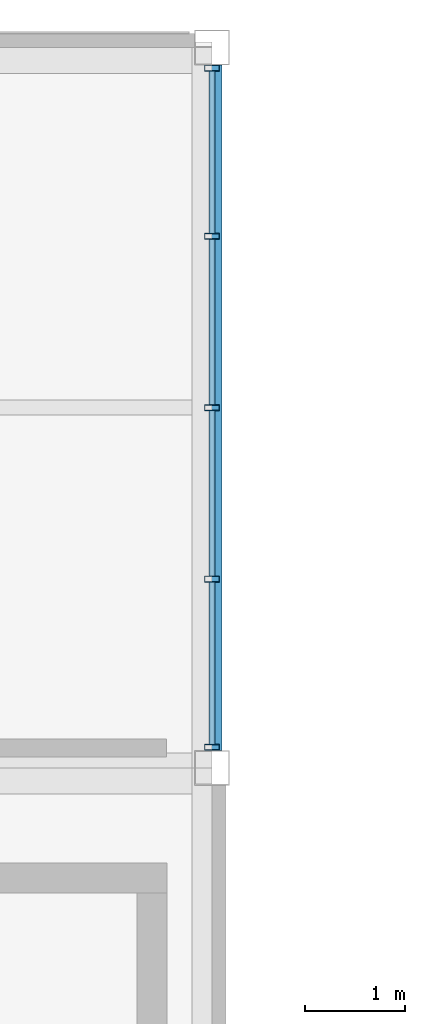
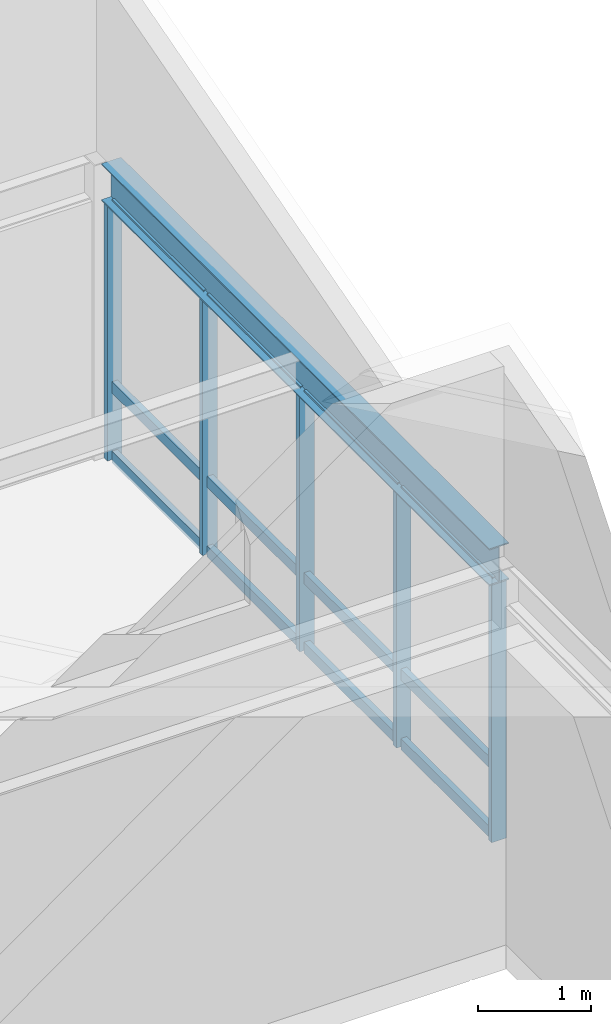
# One storey, part 19 of 43: 17 members, 1 beam, 1 element without a shape of its own.
"""IFC4 building model written with IfcOpenShell, lengths in metres."""

from ifc_helpers import new_model, si_unit, direction, frame, origin, origin_2d, place, context, subcontext, project, spatial, hollow_rectangle, i_section, extrude, material, material_profile, profile_set, type_object, element, aggregate, save


model = new_model("IFC4")

# Units and contexts
model_context = context("Model", 3, precision=1e-05, world=origin(), true_north=direction((0.0, 1.0)))
body_context = subcontext(model_context, "Body", "Model", "MODEL_VIEW")
ifc_project = project(units=[si_unit("LENGTHUNIT", "METRE"), si_unit("AREAUNIT", "SQUARE_METRE"), si_unit("VOLUMEUNIT", "CUBIC_METRE"), si_unit("PLANEANGLEUNIT", "RADIAN"), si_unit("MASSUNIT", "GRAM", prefix="KILO")], contexts=[model_context])

# Site, building, storey
site_placement = place(None, origin())
site = spatial("IfcSite", under=ifc_project, at=site_placement, CompositionType="ELEMENT")
building_placement = place(site_placement, origin())
building = spatial("IfcBuilding", under=site, at=building_placement, Name="Kazanami Central Library", CompositionType="ELEMENT")
storey_placement = place(building_placement, frame((0.0, 0.0, 20.60009765625)))
storey = spatial("IfcBuildingStorey", under=building, at=storey_placement, Name="L06", CompositionType="ELEMENT", Elevation=20.60009765625)

# Beam
ifc_material_1 = material(Name="Steel SN490B (325 MPa)", Category="steel")
ifc_material_profile_1 = material_profile(ifc_material_1, i_section(OverallWidth=0.199951171875, OverallDepth=0.39990234375, WebThickness=0.008056640625, FlangeThickness=0.012939453125, at=origin_2d()), Name="H-400x200x8x13")
ifc_profile_set_1 = profile_set([ifc_material_profile_1], Name="Steel SN490B (325 MPa)")
beam_type = type_object("IfcBeamType", Name="BM-SP-3", PredefinedType="SPANDREL", material=ifc_profile_set_1)
beam_placement = place(storey_placement, frame((36.0, 86.572998046875, 2.97998046875), z_axis=(0.0, 1.0, 0.0), x_axis=(-1.0, 0.0, 0.0)))
element("IfcBeam", 1, at=beam_placement, inside=storey, type_object=beam_type, Name="Girder SP-3 L06 5/N-O", PredefinedType="SPANDREL", context=body_context, shape_type="SweptSolid", body=[
    extrude(i_section(OverallWidth=0.199951171875, OverallDepth=0.39990234375, WebThickness=0.008056640625, FlangeThickness=0.012939453125, at=origin_2d()), origin(), (0.0, 0.0, 1.0), 6.85400390625),
])

# Curtain wall, members
ifc_material_2 = material(Name="Acid-Etched Low-E Laminated Glass", Category="glass")
curtain_wall_type = type_object("IfcCurtainWallType", Name="CW-6850x2780-M180", PredefinedType="USERDEFINED", material=ifc_material_2)
curtain_wall_placement = place(storey_placement, origin())
curtain_wall = element("IfcCurtainWall", 2, at=curtain_wall_placement, inside=storey, type_object=curtain_wall_type, Name="Covered Link Bridge Curtain Wall CW-58 L06 E-5-12", ObjectType="UNITISED CURTAIN WALL", PredefinedType="USERDEFINED")
ifc_material_3 = material(Name="Anodised Aluminium A6063-T5", Category="aluminium")
ifc_material_profile_2 = material_profile(ifc_material_3, hollow_rectangle(XDim=0.06005859375, YDim=0.14990234375, WallThickness=0.00390625, at=origin_2d()), Name="ALU-MULL-60x150x4")
ifc_profile_set_2 = profile_set([ifc_material_profile_2], Name="Anodised Aluminium A6063-T5")
member_type_1 = type_object("IfcMemberType", Name="MEM-CW-M3", PredefinedType="MULLION", material=ifc_profile_set_2)
member_1_placement = place(storey_placement, frame((36.0, 93.39501953125, 0.0), z_axis=(0.0, 0.0, 1.0), x_axis=(0.0, -1.0, 0.0)))
member_1 = element("IfcMember", 3, at=member_1_placement, type_object=member_type_1, Name="CW-58 mullion 1", PredefinedType="MULLION", context=body_context, shape_type="SweptSolid", body=[
    extrude(hollow_rectangle(XDim=0.06005859375, YDim=0.14990234375, WallThickness=0.00390625, at=origin_2d()), origin(), (0.0, 0.0, 1.0), 2.77978515625),
])
member_2_placement = place(storey_placement, frame((36.0, 91.71240234375, 0.0), z_axis=(0.0, 0.0, 1.0), x_axis=(0.0, -1.0, 0.0)))
member_2 = element("IfcMember", 4, at=member_2_placement, type_object=member_type_1, Name="CW-58 mullion 2", PredefinedType="MULLION", context=body_context, shape_type="SweptSolid", body=[
    extrude(hollow_rectangle(XDim=0.06005859375, YDim=0.14990234375, WallThickness=0.00390625, at=origin_2d()), origin(), (0.0, 0.0, 1.0), 2.77978515625),
])
member_3_placement = place(storey_placement, frame((36.0, 90.0, 0.0), z_axis=(0.0, 0.0, 1.0), x_axis=(0.0, -1.0, 0.0)))
member_3 = element("IfcMember", 5, at=member_3_placement, type_object=member_type_1, Name="CW-58 mullion 3", PredefinedType="MULLION", context=body_context, shape_type="SweptSolid", body=[
    extrude(hollow_rectangle(XDim=0.06005859375, YDim=0.14990234375, WallThickness=0.00390625, at=origin_2d()), origin(), (0.0, 0.0, 1.0), 2.77978515625),
])
member_4_placement = place(storey_placement, frame((36.0, 88.28759765625, 0.0), z_axis=(0.0, 0.0, 1.0), x_axis=(0.0, -1.0, 0.0)))
member_4 = element("IfcMember", 6, at=member_4_placement, type_object=member_type_1, Name="CW-58 mullion 4", PredefinedType="MULLION", context=body_context, shape_type="SweptSolid", body=[
    extrude(hollow_rectangle(XDim=0.06005859375, YDim=0.14990234375, WallThickness=0.00390625, at=origin_2d()), origin(), (0.0, 0.0, 1.0), 2.77978515625),
])
member_5_placement = place(storey_placement, frame((36.0, 86.60498046875, 0.0), z_axis=(0.0, 0.0, 1.0), x_axis=(0.0, -1.0, 0.0)))
member_5 = element("IfcMember", 7, at=member_5_placement, type_object=member_type_1, Name="CW-58 mullion 5", PredefinedType="MULLION", context=body_context, shape_type="SweptSolid", body=[
    extrude(hollow_rectangle(XDim=0.06005859375, YDim=0.14990234375, WallThickness=0.00390625, at=origin_2d()), origin(), (0.0, 0.0, 1.0), 2.77978515625),
])
ifc_material_profile_3 = material_profile(ifc_material_3, hollow_rectangle(XDim=0.06005859375, YDim=0.1201171875, WallThickness=0.00341796875, at=origin_2d()), Name="ALU-TRAN-60x120x3.5")
ifc_profile_set_3 = profile_set([ifc_material_profile_3], Name="Anodised Aluminium A6063-T5")
member_type_2 = type_object("IfcMemberType", Name="MEM-CW-T3", PredefinedType="USERDEFINED", material=ifc_profile_set_3)
member_6_placement = place(storey_placement, frame((36.0, 93.364990234375, 0.02978515625), z_axis=(0.0, -1.0, 0.0), x_axis=(1.0, 0.0, 0.0)))
member_6 = element("IfcMember", 8, at=member_6_placement, type_object=member_type_2, Name="CW-58 transom 1.1", ObjectType="TRANSOM", PredefinedType="USERDEFINED", context=body_context, shape_type="SweptSolid", body=[
    extrude(hollow_rectangle(XDim=0.06005859375, YDim=0.1201171875, WallThickness=0.00341796875, at=origin_2d()), origin(), (0.0, 0.0, 1.0), 1.62255859375),
])
member_7_placement = place(storey_placement, frame((36.0, 93.364990234375, 0.77978515625), z_axis=(0.0, -1.0, 0.0), x_axis=(1.0, 0.0, 0.0)))
member_7 = element("IfcMember", 9, at=member_7_placement, type_object=member_type_2, Name="CW-58 transom 1.2", ObjectType="TRANSOM", PredefinedType="USERDEFINED", context=body_context, shape_type="SweptSolid", body=[
    extrude(hollow_rectangle(XDim=0.06005859375, YDim=0.1201171875, WallThickness=0.00341796875, at=origin_2d()), origin(), (0.0, 0.0, 1.0), 1.62255859375),
])
member_8_placement = place(storey_placement, frame((36.0, 93.364990234375, 2.75), z_axis=(0.0, -1.0, 0.0), x_axis=(1.0, 0.0, 0.0)))
member_8 = element("IfcMember", 10, at=member_8_placement, type_object=member_type_2, Name="CW-58 transom 1.3", ObjectType="TRANSOM", PredefinedType="USERDEFINED", context=body_context, shape_type="SweptSolid", body=[
    extrude(hollow_rectangle(XDim=0.06005859375, YDim=0.1201171875, WallThickness=0.00341796875, at=origin_2d()), origin(), (0.0, 0.0, 1.0), 1.62255859375),
])
member_9_placement = place(storey_placement, frame((36.0, 91.6826171875, 0.02978515625), z_axis=(0.0, -1.0, 0.0), x_axis=(1.0, 0.0, 0.0)))
member_9 = element("IfcMember", 11, at=member_9_placement, type_object=member_type_2, Name="CW-58 transom 2.1", ObjectType="TRANSOM", PredefinedType="USERDEFINED", context=body_context, shape_type="SweptSolid", body=[
    extrude(hollow_rectangle(XDim=0.06005859375, YDim=0.1201171875, WallThickness=0.00341796875, at=origin_2d()), origin(), (0.0, 0.0, 1.0), 1.652587890625),
])
member_10_placement = place(storey_placement, frame((36.0, 91.6826171875, 0.77978515625), z_axis=(0.0, -1.0, 0.0), x_axis=(1.0, 0.0, 0.0)))
member_10 = element("IfcMember", 12, at=member_10_placement, type_object=member_type_2, Name="CW-58 transom 2.2", ObjectType="TRANSOM", PredefinedType="USERDEFINED", context=body_context, shape_type="SweptSolid", body=[
    extrude(hollow_rectangle(XDim=0.06005859375, YDim=0.1201171875, WallThickness=0.00341796875, at=origin_2d()), origin(), (0.0, 0.0, 1.0), 1.652587890625),
])
member_11_placement = place(storey_placement, frame((36.0, 91.6826171875, 2.75), z_axis=(0.0, -1.0, 0.0), x_axis=(1.0, 0.0, 0.0)))
member_11 = element("IfcMember", 13, at=member_11_placement, type_object=member_type_2, Name="CW-58 transom 2.3", ObjectType="TRANSOM", PredefinedType="USERDEFINED", context=body_context, shape_type="SweptSolid", body=[
    extrude(hollow_rectangle(XDim=0.06005859375, YDim=0.1201171875, WallThickness=0.00341796875, at=origin_2d()), origin(), (0.0, 0.0, 1.0), 1.652587890625),
])
member_12_placement = place(storey_placement, frame((36.0, 89.969970703125, 0.02978515625), z_axis=(0.0, -1.0, 0.0), x_axis=(1.0, 0.0, 0.0)))
member_12 = element("IfcMember", 14, at=member_12_placement, type_object=member_type_2, Name="CW-58 transom 3.1", ObjectType="TRANSOM", PredefinedType="USERDEFINED", context=body_context, shape_type="SweptSolid", body=[
    extrude(hollow_rectangle(XDim=0.06005859375, YDim=0.1201171875, WallThickness=0.00341796875, at=origin_2d()), origin(), (0.0, 0.0, 1.0), 1.652587890625),
])
member_13_placement = place(storey_placement, frame((36.0, 89.969970703125, 0.77978515625), z_axis=(0.0, -1.0, 0.0), x_axis=(1.0, 0.0, 0.0)))
member_13 = element("IfcMember", 15, at=member_13_placement, type_object=member_type_2, Name="CW-58 transom 3.2", ObjectType="TRANSOM", PredefinedType="USERDEFINED", context=body_context, shape_type="SweptSolid", body=[
    extrude(hollow_rectangle(XDim=0.06005859375, YDim=0.1201171875, WallThickness=0.00341796875, at=origin_2d()), origin(), (0.0, 0.0, 1.0), 1.652587890625),
])
member_14_placement = place(storey_placement, frame((36.0, 89.969970703125, 2.75), z_axis=(0.0, -1.0, 0.0), x_axis=(1.0, 0.0, 0.0)))
member_14 = element("IfcMember", 16, at=member_14_placement, type_object=member_type_2, Name="CW-58 transom 3.3", ObjectType="TRANSOM", PredefinedType="USERDEFINED", context=body_context, shape_type="SweptSolid", body=[
    extrude(hollow_rectangle(XDim=0.06005859375, YDim=0.1201171875, WallThickness=0.00341796875, at=origin_2d()), origin(), (0.0, 0.0, 1.0), 1.652587890625),
])
member_15_placement = place(storey_placement, frame((36.0, 88.257568359375, 0.02978515625), z_axis=(0.0, -1.0, 0.0), x_axis=(1.0, 0.0, 0.0)))
member_15 = element("IfcMember", 17, at=member_15_placement, type_object=member_type_2, Name="CW-58 transom 4.1", ObjectType="TRANSOM", PredefinedType="USERDEFINED", context=body_context, shape_type="SweptSolid", body=[
    extrude(hollow_rectangle(XDim=0.06005859375, YDim=0.1201171875, WallThickness=0.00341796875, at=origin_2d()), origin(), (0.0, 0.0, 1.0), 1.62255859375),
])
member_16_placement = place(storey_placement, frame((36.0, 88.257568359375, 0.77978515625), z_axis=(0.0, -1.0, 0.0), x_axis=(1.0, 0.0, 0.0)))
member_16 = element("IfcMember", 18, at=member_16_placement, type_object=member_type_2, Name="CW-58 transom 4.2", ObjectType="TRANSOM", PredefinedType="USERDEFINED", context=body_context, shape_type="SweptSolid", body=[
    extrude(hollow_rectangle(XDim=0.06005859375, YDim=0.1201171875, WallThickness=0.00341796875, at=origin_2d()), origin(), (0.0, 0.0, 1.0), 1.62255859375),
])
member_17_placement = place(storey_placement, frame((36.0, 88.257568359375, 2.75), z_axis=(0.0, -1.0, 0.0), x_axis=(1.0, 0.0, 0.0)))
member_17 = element("IfcMember", 19, at=member_17_placement, type_object=member_type_2, Name="CW-58 transom 4.3", ObjectType="TRANSOM", PredefinedType="USERDEFINED", context=body_context, shape_type="SweptSolid", body=[
    extrude(hollow_rectangle(XDim=0.06005859375, YDim=0.1201171875, WallThickness=0.00341796875, at=origin_2d()), origin(), (0.0, 0.0, 1.0), 1.62255859375),
])
aggregate(curtain_wall, [member_1, member_2, member_3, member_4, member_5, member_6, member_7, member_8, member_9, member_10, member_11, member_12, member_13, member_14, member_15, member_16, member_17])

save(model, "model.ifc")
